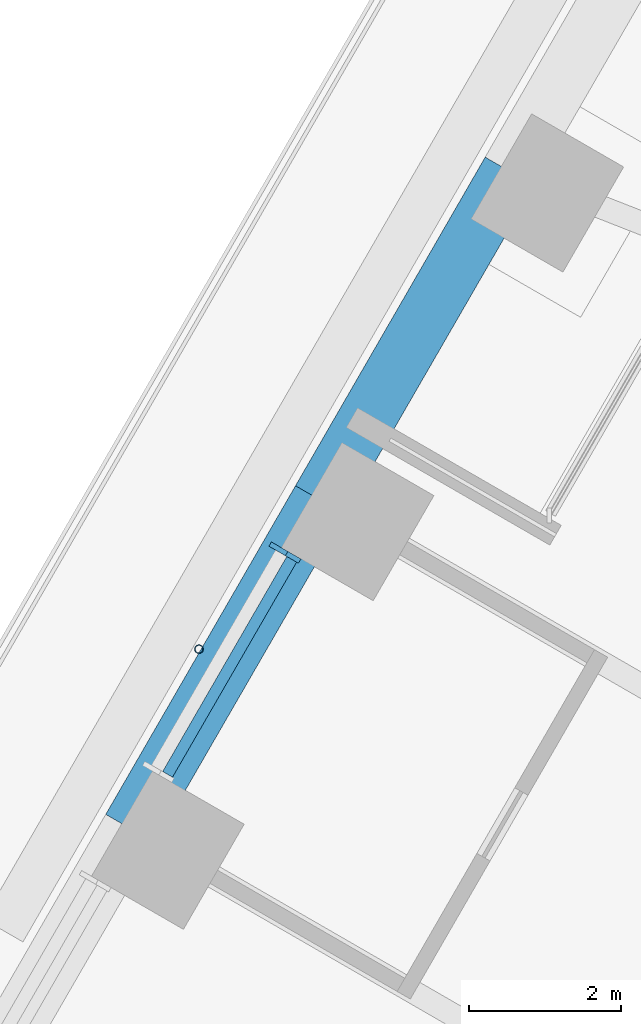
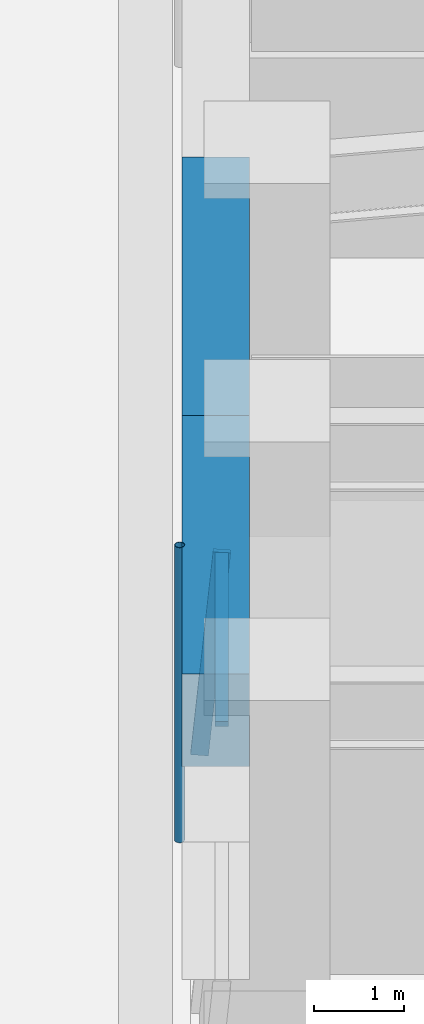
# One storey, part 7 of 24: 3 members, 2 beams, 1 element without a shape of its own.
"""IFC4 building model written with IfcOpenShell, lengths in metres."""

from ifc_helpers import new_model, si_unit, direction, frame, origin, origin_2d, place, context, subcontext, project, spatial, rectangle, hollow_circle, extrude, material, material_profile, profile_set, type_object, element, aggregate, save


model = new_model("IFC4")

# Units and contexts
model_context = context("Model", 3, precision=1e-05, world=origin(), true_north=direction((0.0, 1.0)))
body_context = subcontext(model_context, "Body", "Model", "MODEL_VIEW")
ifc_project = project(units=[si_unit("LENGTHUNIT", "METRE"), si_unit("AREAUNIT", "SQUARE_METRE"), si_unit("VOLUMEUNIT", "CUBIC_METRE"), si_unit("PLANEANGLEUNIT", "RADIAN"), si_unit("MASSUNIT", "GRAM", prefix="KILO")], contexts=[model_context])

# Site, building, storey
site_placement = place(None, origin())
site = spatial("IfcSite", under=ifc_project, at=site_placement, CompositionType="ELEMENT")
building_placement = place(site_placement, origin())
building = spatial("IfcBuilding", under=site, at=building_placement, Name="Tarfa Lantern Tower", CompositionType="ELEMENT")
storey_placement = place(building_placement, frame((0.0, 0.0, 178.300048828125)))
storey = spatial("IfcBuildingStorey", under=building, at=storey_placement, Name="L40", CompositionType="ELEMENT", Elevation=178.300048828125)

# Curtain wall, members
ifc_material_1 = material(Name="Aluminium framed curtain wall", Category="aluminium")
curtain_wall_type = type_object("IfcCurtainWallType", Name="CW2 CANTED GLAZING MID ZONE 2750", PredefinedType="USERDEFINED", material=ifc_material_1)
curtain_wall_placement = place(storey_placement, origin())
curtain_wall = element("IfcCurtainWall", 1, at=curtain_wall_placement, inside=storey, type_object=curtain_wall_type, Name="CW2 NWB L40", ObjectType="CURTAIN WALL", PredefinedType="USERDEFINED")
ifc_material_2 = material(Name="Aluminium mullion", Category="aluminium")
ifc_material_profile_1 = material_profile(ifc_material_2, rectangle(XDim=0.06494140625, YDim=0.199951171875, at=origin_2d()), Name="AL MULLION 65x200")
ifc_profile_set_1 = profile_set([ifc_material_profile_1], Name="Aluminium mullion")
member_type_1 = type_object("IfcMemberType", Name="CWM1 MULLION 65x200", PredefinedType="MULLION", material=ifc_profile_set_1)
member_1_placement = place(storey_placement, frame((-30.111328125, 10.645751953125, 0.0), z_axis=(0.078422950161, -0.045267813396, 0.995891894715), x_axis=(0.499919672301, 0.866071776036, 0.0)))
member_1 = element("IfcMember", 2, at=member_1_placement, type_object=member_type_1, Name="CW2 mullion 1", PredefinedType="MULLION", context=body_context, shape_type="SweptSolid", body=[
    extrude(rectangle(XDim=0.06494140625, YDim=0.199951171875, at=origin_2d()), origin(), (0.0, 0.0, 1.0), 2.76123046875),
])
ifc_material_3 = material(Name="Aluminium transom", Category="aluminium")
ifc_material_profile_2 = material_profile(ifc_material_3, rectangle(XDim=0.14990234375, YDim=0.06494140625, at=origin_2d()), Name="AL TRANSOM 150x65")
ifc_profile_set_2 = profile_set([ifc_material_profile_2], Name="Aluminium transom")
member_type_2 = type_object("IfcMemberType", Name="CWT1 TRANSOM 150x65", PredefinedType="USERDEFINED", material=ifc_profile_set_2)
member_2_placement = place(storey_placement, frame((-29.91357421875, 10.494140625, 2.717529296875), z_axis=(-0.500012937857, -0.86601793398, 0.0), x_axis=(0.86601793398, -0.500012937857, 0.0)))
member_2 = element("IfcMember", 3, at=member_2_placement, type_object=member_type_2, Name="CW2 transom 1.2", ObjectType="TRANSOM", PredefinedType="USERDEFINED", context=body_context, shape_type="SweptSolid", body=[
    extrude(rectangle(XDim=0.14990234375, YDim=0.06494140625, at=origin_2d()), origin(), (0.0, 0.0, 1.0), 3.27392578125),
])
aggregate(curtain_wall, [member_1, member_2])

# Beams
ifc_material_4 = material(Name="Concrete C80/95", Category="concrete")
ifc_material_profile_3 = material_profile(ifc_material_4, rectangle(XDim=0.75, YDim=1.25, at=origin_2d()), Name="RC 750x1250")
ifc_profile_set_3 = profile_set([ifc_material_profile_3], Name="Concrete C80/95")
beam_type = type_object("IfcBeamType", Name="EB2 RC 750x1250", PredefinedType="SPANDREL", material=ifc_profile_set_3)
for number, where, z_axis, x_axis, name in (
    (4, (-27.037353515625, 15.610107421875, 3.375), (-0.499964603504, -0.866045838996, 0.0), (0.866045838996, -0.499964603504, 0.0), "Edge beam NW3"),
    (5, (-29.5390625, 11.276611328125, 3.375), (-0.500022324899, -0.866012514114, 0.0), (0.866012514114, -0.500022324899, 0.0), "Edge beam NW4"),
):
    element("IfcBeam", number, at=place(storey_placement, frame(where, z_axis=z_axis, x_axis=x_axis)), inside=storey, type_object=beam_type, Name=name, PredefinedType="SPANDREL", context=body_context, shape_type="SweptSolid", body=[
        extrude(rectangle(XDim=0.75, YDim=1.25, at=origin_2d()), origin(), (0.0, 0.0, 1.0), 5.003662109375),
    ])

# Member
ifc_material_5 = material(Name="Steel S355", Category="steel")
ifc_material_profile_4 = material_profile(ifc_material_5, hollow_circle(Radius=0.05712890625, WallThickness=0.00634765625, at=origin_2d()), Name="CHS114.3x6.3")
ifc_profile_set_4 = profile_set([ifc_material_profile_4], Name="Steel S355")
member_type_3 = type_object("IfcMemberType", Name="TR1 GREEN WALL TRELLIS CHS114.3x6.3", PredefinedType="USERDEFINED", material=ifc_profile_set_4)
member_3_placement = place(storey_placement, frame((-31.136474609375, 9.31005859375, 0.0), z_axis=(0.0, 0.0, 1.0), x_axis=(1.0, 0.0, 0.0)))
element("IfcMember", 6, at=member_3_placement, inside=storey, type_object=member_type_3, Name="Trellis post NW 2", ObjectType="TRELLIS", PredefinedType="USERDEFINED", context=body_context, shape_type="SweptSolid", body=[
    extrude(hollow_circle(Radius=0.05712890625, WallThickness=0.00634765625, at=origin_2d()), origin(), (0.0, 0.0, 1.0), 4.0),
])

save(model, "model.ifc")
